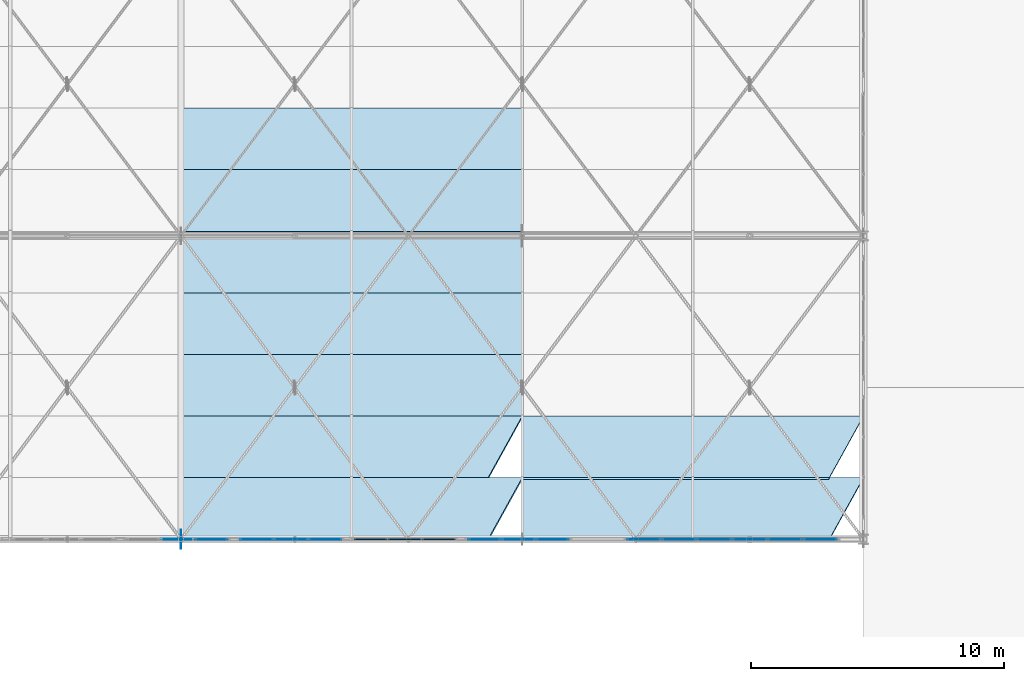
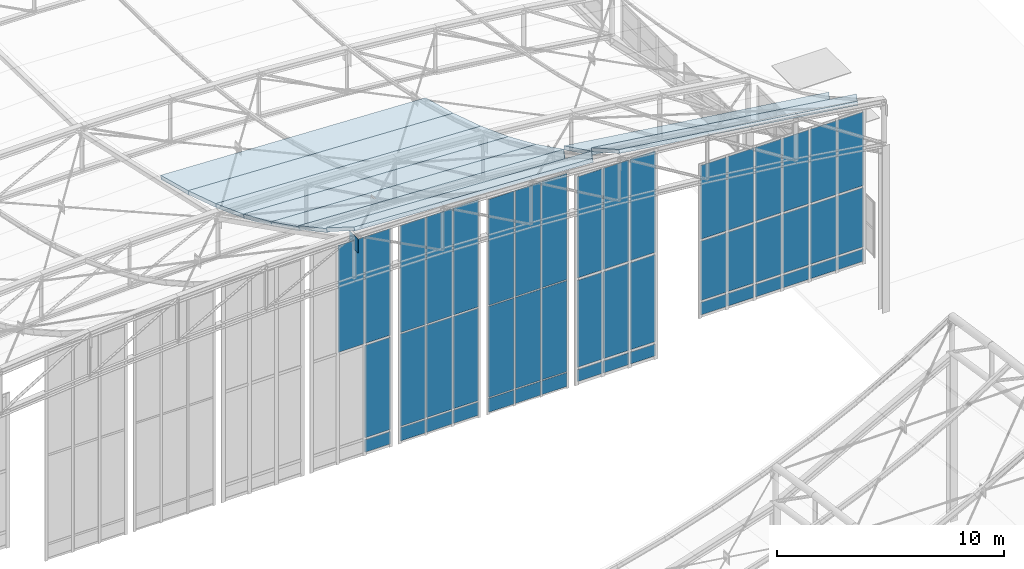
# One storey, part 221 of 262: 50 plates, 9 slabs, 5 elements without a shape of their own.
"""IFC4 building model written with IfcOpenShell, lengths in metres."""

from ifc_helpers import new_model, si_unit, derived_unit, direction, frame, origin, origin_2d, place, context, subcontext, project, spatial, polyline, rectangle, outline, extrude, material, layer, layer_set, type_object, element, aggregate, save


model = new_model("IFC4")

# Units and contexts
model_context = context("Model", 3, precision=1e-05, world=origin(), true_north=direction((0.0, 1.0)))
body_context = subcontext(model_context, "Body", "Model", "MODEL_VIEW")
ifc_project = project(units=[si_unit("LENGTHUNIT", "METRE"), si_unit("AREAUNIT", "SQUARE_METRE"), si_unit("VOLUMEUNIT", "CUBIC_METRE"), si_unit("PLANEANGLEUNIT", "RADIAN"), si_unit("MASSUNIT", "GRAM", prefix="KILO"), derived_unit("THERMALTRANSMITTANCEUNIT", [(si_unit("POWERUNIT", "WATT"), 1), (si_unit("LENGTHUNIT", "METRE"), -2), (si_unit("THERMODYNAMICTEMPERATUREUNIT", "KELVIN"), -1)])], contexts=[model_context])

# Site, building, storey
site_placement = place(None, origin())
site = spatial("IfcSite", under=ifc_project, at=site_placement, CompositionType="ELEMENT")
building_placement = place(site_placement, origin())
building = spatial("IfcBuilding", under=site, at=building_placement, Name="Almenara Railside Exhibition Hall", CompositionType="ELEMENT")
storey_placement = place(building_placement, frame((0.0, 0.0, 21.699951171875)))
storey = spatial("IfcBuildingStorey", under=building, at=storey_placement, Name="RF", CompositionType="ELEMENT", Elevation=21.699951171875)

# Curtain wall, plates
ifc_material_1 = material(Name="Bronze-anodised aluminium and low-E double glazing", Category="aluminium")
ifc_layer_1 = layer(ifc_material_1, 0.179931640625, Name="Bronze-anodised aluminium and low-E double glazing")
ifc_layer_set_1 = layer_set([ifc_layer_1], Name="Bronze-anodised aluminium and low-E double glazing")
curtain_wall_type = type_object("IfcCurtainWallType", Name="Scroll Gable Tall Curtain Wall 3800x5400", PredefinedType="NOTDEFINED", material=ifc_layer_set_1)
curtain_wall_1_placement = place(storey_placement, origin())
curtain_wall_1 = element("IfcCurtainWall", 1, at=curtain_wall_1_placement, inside=storey, type_object=curtain_wall_type, Name="Curtain wall CW-G1-197", PredefinedType="NOTDEFINED")
ifc_material_2 = material(Name="Clear low-E laminated double glazing", Category="glass")
ifc_layer_2 = layer(ifc_material_2, 0.02392578125, Name="Clear low-E laminated double glazing")
ifc_layer_set_2 = layer_set([ifc_layer_2], Name="Clear low-E laminated double glazing")
plate_type_1 = type_object("IfcPlateType", Name="Courtyard Clear Double Glazing Panel 24mm", PredefinedType="CURTAIN_PANEL", material=ifc_layer_set_2)
plate_1_placement = place(storey_placement, frame((57.316162109375, 48.0, 0.6240234375), z_axis=(0.0, 0.0, 1.0), x_axis=(1.0, 0.0, 0.0)))
plate_1 = element("IfcPlate", 2, at=plate_1_placement, type_object=plate_type_1, Name="CW-G1-197 panel 1.1", PredefinedType="CURTAIN_PANEL", context=body_context, shape_type="SweptSolid", body=[
    extrude(rectangle(XDim=1.318603515625, YDim=0.02392578125, at=origin_2d()), origin(), (0.0, 0.0, 1.0), 0.672119140625),
])
plate_2_placement = place(storey_placement, frame((57.316162109375, 48.0, 1.404052734375), z_axis=(0.0, 0.0, 1.0), x_axis=(1.0, 0.0, 0.0)))
plate_2 = element("IfcPlate", 3, at=plate_2_placement, type_object=plate_type_1, Name="CW-G1-197 panel 1.2", PredefinedType="CURTAIN_PANEL", context=body_context, shape_type="SweptSolid", body=[
    extrude(rectangle(XDim=1.318603515625, YDim=0.02392578125, at=origin_2d()), origin(), (0.0, 0.0, 1.0), 3.19189453125),
])
plate_3_placement = place(storey_placement, frame((57.316162109375, 48.0, 4.7041015625), z_axis=(0.0, 0.0, 1.0), x_axis=(1.0, 0.0, 0.0)))
plate_3 = element("IfcPlate", 4, at=plate_3_placement, type_object=plate_type_1, Name="CW-G1-197 panel 1.3", PredefinedType="CURTAIN_PANEL", context=body_context, shape_type="SweptSolid", body=[
    extrude(rectangle(XDim=1.318603515625, YDim=0.02392578125, at=origin_2d()), origin(), (0.0, 0.0, 1.0), 3.971923828125),
])
plate_4_placement = place(storey_placement, frame((58.699951171875, 48.0, 0.6240234375), z_axis=(0.0, 0.0, 1.0), x_axis=(1.0, 0.0, 0.0)))
plate_4 = element("IfcPlate", 5, at=plate_4_placement, type_object=plate_type_1, Name="CW-G1-197 panel 2.1", PredefinedType="CURTAIN_PANEL", context=body_context, shape_type="SweptSolid", body=[
    extrude(rectangle(XDim=1.35107421875, YDim=0.02392578125, at=origin_2d()), origin(), (0.0, 0.0, 1.0), 0.672119140625),
])
plate_5_placement = place(storey_placement, frame((58.699951171875, 48.0, 1.404052734375), z_axis=(0.0, 0.0, 1.0), x_axis=(1.0, 0.0, 0.0)))
plate_5 = element("IfcPlate", 6, at=plate_5_placement, type_object=plate_type_1, Name="CW-G1-197 panel 2.2", PredefinedType="CURTAIN_PANEL", context=body_context, shape_type="SweptSolid", body=[
    extrude(rectangle(XDim=1.35107421875, YDim=0.02392578125, at=origin_2d()), origin(), (0.0, 0.0, 1.0), 3.19189453125),
])
plate_6_placement = place(storey_placement, frame((58.699951171875, 48.0, 4.7041015625), z_axis=(0.0, 0.0, 1.0), x_axis=(1.0, 0.0, 0.0)))
plate_6 = element("IfcPlate", 7, at=plate_6_placement, type_object=plate_type_1, Name="CW-G1-197 panel 2.3", PredefinedType="CURTAIN_PANEL", context=body_context, shape_type="SweptSolid", body=[
    extrude(rectangle(XDim=1.35107421875, YDim=0.02392578125, at=origin_2d()), origin(), (0.0, 0.0, 1.0), 3.971923828125),
])
plate_7_placement = place(storey_placement, frame((60.10009765625, 48.0, 0.6240234375), z_axis=(0.0, 0.0, 1.0), x_axis=(1.0, 0.0, 0.0)))
plate_7 = element("IfcPlate", 8, at=plate_7_placement, type_object=plate_type_1, Name="CW-G1-197 panel 3.1", PredefinedType="CURTAIN_PANEL", context=body_context, shape_type="SweptSolid", body=[
    extrude(rectangle(XDim=1.35107421875, YDim=0.02392578125, at=origin_2d()), origin(), (0.0, 0.0, 1.0), 0.672119140625),
])
plate_8_placement = place(storey_placement, frame((60.10009765625, 48.0, 1.404052734375), z_axis=(0.0, 0.0, 1.0), x_axis=(1.0, 0.0, 0.0)))
plate_8 = element("IfcPlate", 9, at=plate_8_placement, type_object=plate_type_1, Name="CW-G1-197 panel 3.2", PredefinedType="CURTAIN_PANEL", context=body_context, shape_type="SweptSolid", body=[
    extrude(rectangle(XDim=1.35107421875, YDim=0.02392578125, at=origin_2d()), origin(), (0.0, 0.0, 1.0), 3.19189453125),
])
plate_9_placement = place(storey_placement, frame((60.10009765625, 48.0, 4.7041015625), z_axis=(0.0, 0.0, 1.0), x_axis=(1.0, 0.0, 0.0)))
plate_9 = element("IfcPlate", 10, at=plate_9_placement, type_object=plate_type_1, Name="CW-G1-197 panel 3.3", PredefinedType="CURTAIN_PANEL", context=body_context, shape_type="SweptSolid", body=[
    extrude(rectangle(XDim=1.35107421875, YDim=0.02392578125, at=origin_2d()), origin(), (0.0, 0.0, 1.0), 3.971923828125),
])
plate_10_placement = place(storey_placement, frame((61.5, 48.0, 0.6240234375), z_axis=(0.0, 0.0, 1.0), x_axis=(1.0, 0.0, 0.0)))
plate_10 = element("IfcPlate", 11, at=plate_10_placement, type_object=plate_type_1, Name="CW-G1-197 panel 4.1", PredefinedType="CURTAIN_PANEL", context=body_context, shape_type="SweptSolid", body=[
    extrude(rectangle(XDim=1.35107421875, YDim=0.02392578125, at=origin_2d()), origin(), (0.0, 0.0, 1.0), 0.672119140625),
])
plate_11_placement = place(storey_placement, frame((61.5, 48.0, 1.404052734375), z_axis=(0.0, 0.0, 1.0), x_axis=(1.0, 0.0, 0.0)))
plate_11 = element("IfcPlate", 12, at=plate_11_placement, type_object=plate_type_1, Name="CW-G1-197 panel 4.2", PredefinedType="CURTAIN_PANEL", context=body_context, shape_type="SweptSolid", body=[
    extrude(rectangle(XDim=1.35107421875, YDim=0.02392578125, at=origin_2d()), origin(), (0.0, 0.0, 1.0), 3.19189453125),
])
plate_12_placement = place(storey_placement, frame((61.5, 48.0, 4.7041015625), z_axis=(0.0, 0.0, 1.0), x_axis=(1.0, 0.0, 0.0)))
plate_12 = element("IfcPlate", 13, at=plate_12_placement, type_object=plate_type_1, Name="CW-G1-197 panel 4.3", PredefinedType="CURTAIN_PANEL", context=body_context, shape_type="SweptSolid", body=[
    extrude(rectangle(XDim=1.35107421875, YDim=0.02392578125, at=origin_2d()), origin(), (0.0, 0.0, 1.0), 3.971923828125),
])
plate_13_placement = place(storey_placement, frame((62.89990234375, 48.0, 0.6240234375), z_axis=(0.0, 0.0, 1.0), x_axis=(1.0, 0.0, 0.0)))
plate_13 = element("IfcPlate", 14, at=plate_13_placement, type_object=plate_type_1, Name="CW-G1-197 panel 5.1", PredefinedType="CURTAIN_PANEL", context=body_context, shape_type="SweptSolid", body=[
    extrude(rectangle(XDim=1.35107421875, YDim=0.02392578125, at=origin_2d()), origin(), (0.0, 0.0, 1.0), 0.672119140625),
])
plate_14_placement = place(storey_placement, frame((62.89990234375, 48.0, 1.404052734375), z_axis=(0.0, 0.0, 1.0), x_axis=(1.0, 0.0, 0.0)))
plate_14 = element("IfcPlate", 15, at=plate_14_placement, type_object=plate_type_1, Name="CW-G1-197 panel 5.2", PredefinedType="CURTAIN_PANEL", context=body_context, shape_type="SweptSolid", body=[
    extrude(rectangle(XDim=1.35107421875, YDim=0.02392578125, at=origin_2d()), origin(), (0.0, 0.0, 1.0), 3.19189453125),
])
plate_15_placement = place(storey_placement, frame((62.89990234375, 48.0, 4.7041015625), z_axis=(0.0, 0.0, 1.0), x_axis=(1.0, 0.0, 0.0)))
plate_15 = element("IfcPlate", 16, at=plate_15_placement, type_object=plate_type_1, Name="CW-G1-197 panel 5.3", PredefinedType="CURTAIN_PANEL", context=body_context, shape_type="SweptSolid", body=[
    extrude(rectangle(XDim=1.35107421875, YDim=0.02392578125, at=origin_2d()), origin(), (0.0, 0.0, 1.0), 3.971923828125),
])
plate_16_placement = place(storey_placement, frame((64.28369140625, 48.0, 0.6240234375), z_axis=(0.0, 0.0, 1.0), x_axis=(1.0, 0.0, 0.0)))
plate_16 = element("IfcPlate", 17, at=plate_16_placement, type_object=plate_type_1, Name="CW-G1-197 panel 6.1", PredefinedType="CURTAIN_PANEL", context=body_context, shape_type="SweptSolid", body=[
    extrude(rectangle(XDim=1.318603515625, YDim=0.02392578125, at=origin_2d()), origin(), (0.0, 0.0, 1.0), 0.672119140625),
])
plate_17_placement = place(storey_placement, frame((64.28369140625, 48.0, 1.404052734375), z_axis=(0.0, 0.0, 1.0), x_axis=(1.0, 0.0, 0.0)))
plate_17 = element("IfcPlate", 18, at=plate_17_placement, type_object=plate_type_1, Name="CW-G1-197 panel 6.2", PredefinedType="CURTAIN_PANEL", context=body_context, shape_type="SweptSolid", body=[
    extrude(rectangle(XDim=1.318603515625, YDim=0.02392578125, at=origin_2d()), origin(), (0.0, 0.0, 1.0), 3.19189453125),
])
plate_18_placement = place(storey_placement, frame((64.28369140625, 48.0, 4.7041015625), z_axis=(0.0, 0.0, 1.0), x_axis=(1.0, 0.0, 0.0)))
plate_18 = element("IfcPlate", 19, at=plate_18_placement, type_object=plate_type_1, Name="CW-G1-197 panel 6.3", PredefinedType="CURTAIN_PANEL", context=body_context, shape_type="SweptSolid", body=[
    extrude(rectangle(XDim=1.318603515625, YDim=0.02392578125, at=origin_2d()), origin(), (0.0, 0.0, 1.0), 3.971923828125),
])
aggregate(curtain_wall_1, [plate_1, plate_2, plate_3, plate_4, plate_5, plate_6, plate_7, plate_8, plate_9, plate_10, plate_11, plate_12, plate_13, plate_14, plate_15, plate_16, plate_17, plate_18])

curtain_wall_2_placement = place(storey_placement, origin())
curtain_wall_2 = element("IfcCurtainWall", 20, at=curtain_wall_2_placement, inside=storey, type_object=curtain_wall_type, Name="Curtain wall CW-G1-202", PredefinedType="NOTDEFINED")
plate_19_placement = place(storey_placement, frame((41.998291015625, 48.0, -0.80615234375), z_axis=(0.0, 0.0, 1.0), x_axis=(1.0, 0.0, 0.0)))
plate_19 = element("IfcPlate", 21, at=plate_19_placement, type_object=plate_type_1, Name="CW-G1-202 panel 1.1", PredefinedType="CURTAIN_PANEL", context=body_context, shape_type="SweptSolid", body=[
    extrude(rectangle(XDim=1.292724609375, YDim=0.02392578125, at=origin_2d()), origin(), (0.0, 0.0, 1.0), 0.717041015625),
])
plate_20_placement = place(storey_placement, frame((41.998291015625, 48.0, -0.0107421875), z_axis=(0.0, 0.0, 1.0), x_axis=(1.0, 0.0, 0.0)))
plate_20 = element("IfcPlate", 22, at=plate_20_placement, type_object=plate_type_1, Name="CW-G1-202 panel 1.2", PredefinedType="CURTAIN_PANEL", context=body_context, shape_type="SweptSolid", body=[
    extrude(rectangle(XDim=1.292724609375, YDim=0.02392578125, at=origin_2d()), origin(), (0.0, 0.0, 1.0), 4.967041015625),
])
plate_21_placement = place(storey_placement, frame((41.998291015625, 48.0, 5.0341796875), z_axis=(0.0, 0.0, 1.0), x_axis=(1.0, 0.0, 0.0)))
plate_21 = element("IfcPlate", 23, at=plate_21_placement, type_object=plate_type_1, Name="CW-G1-202 panel 1.3", PredefinedType="CURTAIN_PANEL", context=body_context, shape_type="SweptSolid", body=[
    extrude(rectangle(XDim=1.292724609375, YDim=0.02392578125, at=origin_2d()), origin(), (0.0, 0.0, 1.0), 5.761962890625),
])
plate_22_placement = place(storey_placement, frame((43.35009765625, 48.0, -0.80615234375), z_axis=(0.0, 0.0, 1.0), x_axis=(1.0, 0.0, 0.0)))
plate_22 = element("IfcPlate", 24, at=plate_22_placement, type_object=plate_type_1, Name="CW-G1-202 panel 2.1", PredefinedType="CURTAIN_PANEL", context=body_context, shape_type="SweptSolid", body=[
    extrude(rectangle(XDim=1.32275390625, YDim=0.02392578125, at=origin_2d()), origin(), (0.0, 0.0, 1.0), 0.717041015625),
])
plate_23_placement = place(storey_placement, frame((43.35009765625, 48.0, -0.0107421875), z_axis=(0.0, 0.0, 1.0), x_axis=(1.0, 0.0, 0.0)))
plate_23 = element("IfcPlate", 25, at=plate_23_placement, type_object=plate_type_1, Name="CW-G1-202 panel 2.2", PredefinedType="CURTAIN_PANEL", context=body_context, shape_type="SweptSolid", body=[
    extrude(rectangle(XDim=1.32275390625, YDim=0.02392578125, at=origin_2d()), origin(), (0.0, 0.0, 1.0), 4.967041015625),
])
plate_24_placement = place(storey_placement, frame((43.35009765625, 48.0, 5.0341796875), z_axis=(0.0, 0.0, 1.0), x_axis=(1.0, 0.0, 0.0)))
plate_24 = element("IfcPlate", 26, at=plate_24_placement, type_object=plate_type_1, Name="CW-G1-202 panel 2.3", PredefinedType="CURTAIN_PANEL", context=body_context, shape_type="SweptSolid", body=[
    extrude(rectangle(XDim=1.32275390625, YDim=0.02392578125, at=origin_2d()), origin(), (0.0, 0.0, 1.0), 5.761962890625),
])
plate_25_placement = place(storey_placement, frame((44.70166015625, 48.0, -0.80615234375), z_axis=(0.0, 0.0, 1.0), x_axis=(1.0, 0.0, 0.0)))
plate_25 = element("IfcPlate", 27, at=plate_25_placement, type_object=plate_type_1, Name="CW-G1-202 panel 3.1", PredefinedType="CURTAIN_PANEL", context=body_context, shape_type="SweptSolid", body=[
    extrude(rectangle(XDim=1.292724609375, YDim=0.02392578125, at=origin_2d()), origin(), (0.0, 0.0, 1.0), 0.717041015625),
])
plate_26_placement = place(storey_placement, frame((44.70166015625, 48.0, -0.0107421875), z_axis=(0.0, 0.0, 1.0), x_axis=(1.0, 0.0, 0.0)))
plate_26 = element("IfcPlate", 28, at=plate_26_placement, type_object=plate_type_1, Name="CW-G1-202 panel 3.2", PredefinedType="CURTAIN_PANEL", context=body_context, shape_type="SweptSolid", body=[
    extrude(rectangle(XDim=1.292724609375, YDim=0.02392578125, at=origin_2d()), origin(), (0.0, 0.0, 1.0), 4.967041015625),
])
plate_27_placement = place(storey_placement, frame((44.70166015625, 48.0, 5.0341796875), z_axis=(0.0, 0.0, 1.0), x_axis=(1.0, 0.0, 0.0)))
plate_27 = element("IfcPlate", 29, at=plate_27_placement, type_object=plate_type_1, Name="CW-G1-202 panel 3.3", PredefinedType="CURTAIN_PANEL", context=body_context, shape_type="SweptSolid", body=[
    extrude(rectangle(XDim=1.292724609375, YDim=0.02392578125, at=origin_2d()), origin(), (0.0, 0.0, 1.0), 5.761962890625),
])
aggregate(curtain_wall_2, [plate_19, plate_20, plate_21, plate_22, plate_23, plate_24, plate_25, plate_26, plate_27])

curtain_wall_3_placement = place(storey_placement, origin())
curtain_wall_3 = element("IfcCurtainWall", 30, at=curtain_wall_3_placement, inside=storey, type_object=curtain_wall_type, Name="Curtain wall CW-G1-203", PredefinedType="NOTDEFINED")
ifc_material_3 = material(Name="Bronze-anodised insulated aluminium spandrel", Category="aluminium")
ifc_layer_3 = layer(ifc_material_3, 0.0400390625, Name="Bronze-anodised insulated aluminium spandrel")
ifc_layer_set_3 = layer_set([ifc_layer_3], Name="Bronze-anodised insulated aluminium spandrel")
plate_type_2 = type_object("IfcPlateType", Name="Insulated Bronze Spandrel Panel 40mm", PredefinedType="CURTAIN_PANEL", material=ifc_layer_set_3)
plate_28_placement = place(storey_placement, frame((46.4970703125, 48.0, -0.825927734375), z_axis=(0.0, 0.0, 1.0), x_axis=(1.0, 0.0, 0.0)))
plate_28 = element("IfcPlate", 31, at=plate_28_placement, type_object=plate_type_2, Name="CW-G1-203 panel 1.1", PredefinedType="CURTAIN_PANEL", context=body_context, shape_type="SweptSolid", body=[
    extrude(rectangle(XDim=1.300048828125, YDim=0.0400390625, at=origin_2d()), origin(), (0.0, 0.0, 1.0), 0.7470703125),
])
plate_29_placement = place(storey_placement, frame((46.4970703125, 48.0, -0.02099609375), z_axis=(0.0, 0.0, 1.0), x_axis=(1.0, 0.0, 0.0)))
plate_29 = element("IfcPlate", 32, at=plate_29_placement, type_object=plate_type_2, Name="CW-G1-203 panel 1.2", PredefinedType="CURTAIN_PANEL", context=body_context, shape_type="SweptSolid", body=[
    extrude(rectangle(XDim=1.300048828125, YDim=0.0400390625, at=origin_2d()), origin(), (0.0, 0.0, 1.0), 4.89697265625),
])
plate_30_placement = place(storey_placement, frame((46.4970703125, 48.0, 4.93408203125), z_axis=(0.0, 0.0, 1.0), x_axis=(1.0, 0.0, 0.0)))
plate_30 = element("IfcPlate", 33, at=plate_30_placement, type_object=plate_type_2, Name="CW-G1-203 panel 1.3", PredefinedType="CURTAIN_PANEL", context=body_context, shape_type="SweptSolid", body=[
    extrude(rectangle(XDim=1.300048828125, YDim=0.0400390625, at=origin_2d()), origin(), (0.0, 0.0, 1.0), 5.701904296875),
])
plate_31_placement = place(storey_placement, frame((47.85009765625, 48.0, -0.825927734375), z_axis=(0.0, 0.0, 1.0), x_axis=(1.0, 0.0, 0.0)))
plate_31 = element("IfcPlate", 34, at=plate_31_placement, type_object=plate_type_2, Name="CW-G1-203 panel 2.1", PredefinedType="CURTAIN_PANEL", context=body_context, shape_type="SweptSolid", body=[
    extrude(rectangle(XDim=1.32763671875, YDim=0.0400390625, at=origin_2d()), origin(), (0.0, 0.0, 1.0), 0.7470703125),
])
plate_32_placement = place(storey_placement, frame((47.85009765625, 48.0, -0.02099609375), z_axis=(0.0, 0.0, 1.0), x_axis=(1.0, 0.0, 0.0)))
plate_32 = element("IfcPlate", 35, at=plate_32_placement, type_object=plate_type_2, Name="CW-G1-203 panel 2.2", PredefinedType="CURTAIN_PANEL", context=body_context, shape_type="SweptSolid", body=[
    extrude(rectangle(XDim=1.32763671875, YDim=0.0400390625, at=origin_2d()), origin(), (0.0, 0.0, 1.0), 4.89697265625),
])
plate_33_placement = place(storey_placement, frame((47.85009765625, 48.0, 4.93408203125), z_axis=(0.0, 0.0, 1.0), x_axis=(1.0, 0.0, 0.0)))
plate_33 = element("IfcPlate", 36, at=plate_33_placement, type_object=plate_type_2, Name="CW-G1-203 panel 2.3", PredefinedType="CURTAIN_PANEL", context=body_context, shape_type="SweptSolid", body=[
    extrude(rectangle(XDim=1.32763671875, YDim=0.0400390625, at=origin_2d()), origin(), (0.0, 0.0, 1.0), 5.701904296875),
])
plate_34_placement = place(storey_placement, frame((49.202880859375, 48.0, -0.825927734375), z_axis=(0.0, 0.0, 1.0), x_axis=(1.0, 0.0, 0.0)))
plate_34 = element("IfcPlate", 37, at=plate_34_placement, type_object=plate_type_2, Name="CW-G1-203 panel 3.1", PredefinedType="CURTAIN_PANEL", context=body_context, shape_type="SweptSolid", body=[
    extrude(rectangle(XDim=1.300048828125, YDim=0.0400390625, at=origin_2d()), origin(), (0.0, 0.0, 1.0), 0.7470703125),
])
plate_35_placement = place(storey_placement, frame((49.202880859375, 48.0, -0.02099609375), z_axis=(0.0, 0.0, 1.0), x_axis=(1.0, 0.0, 0.0)))
plate_35 = element("IfcPlate", 38, at=plate_35_placement, type_object=plate_type_2, Name="CW-G1-203 panel 3.2", PredefinedType="CURTAIN_PANEL", context=body_context, shape_type="SweptSolid", body=[
    extrude(rectangle(XDim=1.300048828125, YDim=0.0400390625, at=origin_2d()), origin(), (0.0, 0.0, 1.0), 4.89697265625),
])
plate_36_placement = place(storey_placement, frame((49.202880859375, 48.0, 4.93408203125), z_axis=(0.0, 0.0, 1.0), x_axis=(1.0, 0.0, 0.0)))
plate_36 = element("IfcPlate", 39, at=plate_36_placement, type_object=plate_type_2, Name="CW-G1-203 panel 3.3", PredefinedType="CURTAIN_PANEL", context=body_context, shape_type="SweptSolid", body=[
    extrude(rectangle(XDim=1.300048828125, YDim=0.0400390625, at=origin_2d()), origin(), (0.0, 0.0, 1.0), 5.701904296875),
])
aggregate(curtain_wall_3, [plate_28, plate_29, plate_30, plate_31, plate_32, plate_33, plate_34, plate_35, plate_36])

curtain_wall_4_placement = place(storey_placement, origin())
curtain_wall_4 = element("IfcCurtainWall", 40, at=curtain_wall_4_placement, inside=storey, type_object=curtain_wall_type, Name="Curtain wall CW-G1-204", PredefinedType="NOTDEFINED")
ifc_layer_4 = layer(ifc_material_3, 0.034912109375, Name="Bronze-anodised insulated aluminium spandrel")
ifc_layer_set_4 = layer_set([ifc_layer_4], Name="Bronze-anodised insulated aluminium spandrel")
plate_type_3 = type_object("IfcPlateType", Name="Insulated Stucco-Tone Spandrel Panel 35mm", PredefinedType="CURTAIN_PANEL", material=ifc_layer_set_4)
plate_37_placement = place(storey_placement, frame((51.000732421875, 48.0, -0.756103515625), z_axis=(0.0, 0.0, 1.0), x_axis=(1.0, 0.0, 0.0)))
plate_37 = element("IfcPlate", 41, at=plate_37_placement, type_object=plate_type_3, Name="CW-G1-204 panel 1.1", PredefinedType="CURTAIN_PANEL", context=body_context, shape_type="SweptSolid", body=[
    extrude(rectangle(XDim=1.277587890625, YDim=0.034912109375, at=origin_2d()), origin(), (0.0, 0.0, 1.0), 0.64208984375),
])
plate_38_placement = place(storey_placement, frame((51.000732421875, 48.0, 0.01416015625), z_axis=(0.0, 0.0, 1.0), x_axis=(1.0, 0.0, 0.0)))
plate_38 = element("IfcPlate", 42, at=plate_38_placement, type_object=plate_type_3, Name="CW-G1-204 panel 1.2", PredefinedType="CURTAIN_PANEL", context=body_context, shape_type="SweptSolid", body=[
    extrude(rectangle(XDim=1.277587890625, YDim=0.034912109375, at=origin_2d()), origin(), (0.0, 0.0, 1.0), 4.677001953125),
])
plate_39_placement = place(storey_placement, frame((51.000732421875, 48.0, 4.81884765625), z_axis=(0.0, 0.0, 1.0), x_axis=(1.0, 0.0, 0.0)))
plate_39 = element("IfcPlate", 43, at=plate_39_placement, type_object=plate_type_3, Name="CW-G1-204 panel 1.3", PredefinedType="CURTAIN_PANEL", context=body_context, shape_type="SweptSolid", body=[
    extrude(rectangle(XDim=1.277587890625, YDim=0.034912109375, at=origin_2d()), origin(), (0.0, 0.0, 1.0), 5.447021484375),
])
plate_40_placement = place(storey_placement, frame((52.35009765625, 48.0, -0.756103515625), z_axis=(0.0, 0.0, 1.0), x_axis=(1.0, 0.0, 0.0)))
plate_40 = element("IfcPlate", 44, at=plate_40_placement, type_object=plate_type_3, Name="CW-G1-204 panel 2.1", PredefinedType="CURTAIN_PANEL", context=body_context, shape_type="SweptSolid", body=[
    extrude(rectangle(XDim=1.312744140625, YDim=0.034912109375, at=origin_2d()), origin(), (0.0, 0.0, 1.0), 0.64208984375),
])
plate_41_placement = place(storey_placement, frame((52.35009765625, 48.0, 0.01416015625), z_axis=(0.0, 0.0, 1.0), x_axis=(1.0, 0.0, 0.0)))
plate_41 = element("IfcPlate", 45, at=plate_41_placement, type_object=plate_type_3, Name="CW-G1-204 panel 2.2", PredefinedType="CURTAIN_PANEL", context=body_context, shape_type="SweptSolid", body=[
    extrude(rectangle(XDim=1.312744140625, YDim=0.034912109375, at=origin_2d()), origin(), (0.0, 0.0, 1.0), 4.677001953125),
])
plate_42_placement = place(storey_placement, frame((52.35009765625, 48.0, 4.81884765625), z_axis=(0.0, 0.0, 1.0), x_axis=(1.0, 0.0, 0.0)))
plate_42 = element("IfcPlate", 46, at=plate_42_placement, type_object=plate_type_3, Name="CW-G1-204 panel 2.3", PredefinedType="CURTAIN_PANEL", context=body_context, shape_type="SweptSolid", body=[
    extrude(rectangle(XDim=1.312744140625, YDim=0.034912109375, at=origin_2d()), origin(), (0.0, 0.0, 1.0), 5.447021484375),
])
plate_43_placement = place(storey_placement, frame((53.69921875, 48.0, -0.756103515625), z_axis=(0.0, 0.0, 1.0), x_axis=(1.0, 0.0, 0.0)))
plate_43 = element("IfcPlate", 47, at=plate_43_placement, type_object=plate_type_3, Name="CW-G1-204 panel 3.1", PredefinedType="CURTAIN_PANEL", context=body_context, shape_type="SweptSolid", body=[
    extrude(rectangle(XDim=1.277587890625, YDim=0.034912109375, at=origin_2d()), origin(), (0.0, 0.0, 1.0), 0.64208984375),
])
plate_44_placement = place(storey_placement, frame((53.69921875, 48.0, 0.01416015625), z_axis=(0.0, 0.0, 1.0), x_axis=(1.0, 0.0, 0.0)))
plate_44 = element("IfcPlate", 48, at=plate_44_placement, type_object=plate_type_3, Name="CW-G1-204 panel 3.2", PredefinedType="CURTAIN_PANEL", context=body_context, shape_type="SweptSolid", body=[
    extrude(rectangle(XDim=1.277587890625, YDim=0.034912109375, at=origin_2d()), origin(), (0.0, 0.0, 1.0), 4.677001953125),
])
plate_45_placement = place(storey_placement, frame((53.69921875, 48.0, 4.81884765625), z_axis=(0.0, 0.0, 1.0), x_axis=(1.0, 0.0, 0.0)))
plate_45 = element("IfcPlate", 49, at=plate_45_placement, type_object=plate_type_3, Name="CW-G1-204 panel 3.3", PredefinedType="CURTAIN_PANEL", context=body_context, shape_type="SweptSolid", body=[
    extrude(rectangle(XDim=1.277587890625, YDim=0.034912109375, at=origin_2d()), origin(), (0.0, 0.0, 1.0), 5.447021484375),
])
aggregate(curtain_wall_4, [plate_37, plate_38, plate_39, plate_40, plate_41, plate_42, plate_43, plate_44, plate_45])

curtain_wall_5_placement = place(storey_placement, origin())
curtain_wall_5 = element("IfcCurtainWall", 50, at=curtain_wall_5_placement, inside=storey, type_object=curtain_wall_type, Name="Curtain wall CW-G1-201", PredefinedType="NOTDEFINED")
ifc_material_4 = material(Name="Solar-control low-E laminated double glazing", Category="glass")
ifc_layer_5 = layer(ifc_material_4, 0.028076171875, Name="Solar-control low-E laminated double glazing")
ifc_layer_set_5 = layer_set([ifc_layer_5], Name="Solar-control low-E laminated double glazing")
plate_type_4 = type_object("IfcPlateType", Name="Low-E Solar Control Double Glazing Panel 28mm", PredefinedType="CURTAIN_PANEL", material=ifc_layer_set_5)
plate_46_placement = place(storey_placement, frame((38.85009765625, 48.0, 5.0791015625), z_axis=(0.0, 0.0, 1.0), x_axis=(1.0, 0.0, 0.0)))
plate_46 = element("IfcPlate", 51, at=plate_46_placement, type_object=plate_type_4, Name="CW-G1-201 panel 2.3", PredefinedType="CURTAIN_PANEL", context=body_context, shape_type="SweptSolid", body=[
    extrude(rectangle(XDim=1.317626953125, YDim=0.028076171875, at=origin_2d()), origin(), (0.0, 0.0, 1.0), 5.7470703125),
])
plate_47_placement = place(storey_placement, frame((40.200439453125, 48.0, -0.77587890625), z_axis=(0.0, 0.0, 1.0), x_axis=(1.0, 0.0, 0.0)))
plate_47 = element("IfcPlate", 52, at=plate_47_placement, type_object=plate_type_4, Name="CW-G1-201 panel 3.1", PredefinedType="CURTAIN_PANEL", context=body_context, shape_type="SweptSolid", body=[
    extrude(rectangle(XDim=1.28515625, YDim=0.028076171875, at=origin_2d()), origin(), (0.0, 0.0, 1.0), 0.672119140625),
])
plate_48_placement = place(storey_placement, frame((40.200439453125, 48.0, 0.00390625), z_axis=(0.0, 0.0, 1.0), x_axis=(1.0, 0.0, 0.0)))
plate_48 = element("IfcPlate", 53, at=plate_48_placement, type_object=plate_type_4, Name="CW-G1-201 panel 3.2", PredefinedType="CURTAIN_PANEL", context=body_context, shape_type="SweptSolid", body=[
    extrude(rectangle(XDim=1.28515625, YDim=0.028076171875, at=origin_2d()), origin(), (0.0, 0.0, 1.0), 4.967041015625),
])
plate_49_placement = place(storey_placement, frame((40.200439453125, 48.0, 5.0791015625), z_axis=(0.0, 0.0, 1.0), x_axis=(1.0, 0.0, 0.0)))
plate_49 = element("IfcPlate", 54, at=plate_49_placement, type_object=plate_type_4, Name="CW-G1-201 panel 3.3", PredefinedType="CURTAIN_PANEL", context=body_context, shape_type="SweptSolid", body=[
    extrude(rectangle(XDim=1.28515625, YDim=0.028076171875, at=origin_2d()), origin(), (0.0, 0.0, 1.0), 5.7470703125),
])
aggregate(curtain_wall_5, [plate_46, plate_47, plate_48, plate_49])

# Slabs
ifc_material_5 = material(Name="White standing-seam insulated steel S355JR roof deck", Category="steel")
ifc_layer_6 = layer(ifc_material_5, 0.195068359375, Name="White standing-seam insulated steel S355JR roof deck")
ifc_layer_set_6 = layer_set([ifc_layer_6], Name="White standing-seam insulated steel S355JR roof deck")
slab_type_1 = type_object("IfcSlabType", Name="Scroll Standing-Seam Insulated Roof Cassette 195mm S355JR", PredefinedType="ROOF", material=ifc_layer_set_6)
slab_1_placement = place(storey_placement, frame((39.0, 52.873291015625, 8.6025390625), z_axis=(0.036457270547, 0.445014736902, 0.894780839851), x_axis=(0.99917098071, 0.0, -0.04071057978)))
element("IfcSlab", 55, at=slab_1_placement, inside=storey, type_object=slab_type_1, Name="V1 roof cassette RC-V1-03C", PredefinedType="ROOF", context=body_context, shape_type="SweptSolid", body=[
    extrude(outline(polyline([(0.0, 0.0), (13.511201046291989, 2.7755575615628914e-17), (13.560538770420465, 2.721054522361552), (0.049337724128476194, 2.721054522361552), (0.0, 0.0)])), origin(), (0.0, 0.0, -1.0), 0.195068359375),
])
slab_2_placement = place(storey_placement, frame((39.0, 55.31005859375, 7.390625), z_axis=(0.037345607849, 0.398095348831, 0.9165835471), x_axis=(0.99917098071, 0.0, -0.04071057978)))
element("IfcSlab", 56, at=slab_2_placement, inside=storey, type_object=slab_type_1, Name="V1 roof cassette RC-V1-04C", PredefinedType="ROOF", context=body_context, shape_type="SweptSolid", body=[
    extrude(outline(polyline([(0.0, 0.0), (13.511201046291989, 5.551115123125783e-17), (13.554287072500076, 2.65632899314279), (0.04308602620808709, 2.6563289931427896), (0.0, 0.0)])), origin(), (0.0, 0.0, -1.0), 0.195068359375),
])
slab_3_placement = place(storey_placement, frame((39.0, 57.746826171875, 6.332275390625), z_axis=(0.038115969666, 0.351289382745, 0.935490749514), x_axis=(0.99917098071, 0.0, -0.04071057978)))
element("IfcSlab", 57, at=slab_3_placement, inside=storey, type_object=slab_type_1, Name="V1 roof cassette RC-V1-05C", PredefinedType="ROOF", context=body_context, shape_type="SweptSolid", body=[
    extrude(outline(polyline([(0.0, 0.0), (13.511201046291989, 0.0), (13.548452817048139, 2.6026419310534425), (0.037251770756150035, 2.602641931053442), (0.0, 0.0)])), origin(), (0.0, 0.0, -1.0), 0.195068359375),
])
slab_4_placement = place(storey_placement, frame((39.0, 60.18359375, 5.417236328125), z_axis=(0.038777399799, 0.304494593807, 0.951724411585), x_axis=(0.99917098071, 0.0, -0.04071057978)))
element("IfcSlab", 58, at=slab_4_placement, inside=storey, type_object=slab_type_1, Name="V1 roof cassette RC-V1-06C", PredefinedType="ROOF", context=body_context, shape_type="SweptSolid", body=[
    extrude(outline(polyline([(0.0, 0.0), (13.511201046291989, 0.0), (13.542936613000736, 2.557992085666832), (0.03173556670874788, 2.557992085666832), (0.0, 0.0)])), origin(), (0.0, 0.0, -1.0), 0.195068359375),
])
slab_5_placement = place(storey_placement, frame((39.0, 62.6201171875, 4.6376953125), z_axis=(0.03933677698, 0.257589650078, 0.965453359904), x_axis=(0.99917098071, 0.0, -0.04071057978)))
element("IfcSlab", 59, at=slab_5_placement, inside=storey, type_object=slab_type_1, Name="V1 roof cassette RC-V1-07C", PredefinedType="ROOF", context=body_context, shape_type="SweptSolid", body=[
    extrude(outline(polyline([(0.0, 0.0), (13.511201046291989, 0.0), (13.537668886613126, 2.521869571245723), (0.026467840321138622, 2.521869571245723), (0.0, 0.0)])), origin(), (0.0, 0.0, -1.0), 0.195068359375),
])
ifc_layer_7 = layer(ifc_material_5, 0.179931640625, Name="White standing-seam insulated steel S355JR roof deck")
ifc_layer_set_7 = layer_set([ifc_layer_7], Name="White standing-seam insulated steel S355JR roof deck")
slab_type_2 = type_object("IfcSlabType", Name="Scroll Tip Standing-Seam Cassette 180mm S355JR", PredefinedType="ROOF", material=ifc_layer_set_7)
slab_6_placement = place(storey_placement, frame((39.0, 48.0, 11.5400390625), z_axis=(0.038532114641, 0.523440887829, 0.851190291938), x_axis=(0.998976911567, 1.497398e-06, -0.045223115259)))
element("IfcSlab", 60, at=slab_6_placement, inside=storey, type_object=slab_type_2, Name="V1 roof cassette RC-V1-01C", PredefinedType="ROOF", context=body_context, shape_type="SweptSolid", body=[
    extrude(outline(polyline([(0.0, 0.0), (12.162346840752935, 5.551115123125783e-17), (13.581595504514471, 2.859823893187278), (0.06777207690106239, 2.8598690160041214), (0.0, 0.0)])), origin(), (0.0, 0.0, -1.0), 0.179931640625),
])
slab_7_placement = place(storey_placement, frame((52.5, 48.0, 10.989990234375), z_axis=(0.117423333818, 0.488363548544, 0.864703882915), x_axis=(0.990905329341, -2.02161e-07, -0.134560872039)))
element("IfcSlab", 61, at=slab_7_placement, inside=storey, type_object=slab_type_2, Name="V1 roof cassette RC-V1-01D", PredefinedType="ROOF", context=body_context, shape_type="SweptSolid", body=[
    extrude(outline(polyline([(0.0, 0.0), (12.261415281546732, 0.0), (13.809090892891973, 2.792411085937321), (0.1851849653110368, 2.792405089185313), (0.0, 0.0)])), origin(), (0.0, 0.0, -1.0), 0.179931640625),
])
slab_8_placement = place(storey_placement, frame((39.0, 50.436767578125, 9.98046875), z_axis=(0.039801960958, 0.475052406948, 0.879056889261), x_axis=(0.998976586254, -2.567246e-06, -0.045230300784)))
element("IfcSlab", 62, at=slab_8_placement, inside=storey, type_object=slab_type_2, Name="V1 roof cassette RC-V1-02C", PredefinedType="ROOF", context=body_context, shape_type="SweptSolid", body=[
    extrude(outline(polyline([(0.0, 0.0), (12.162346840625101, -5.551115123125783e-17), (13.573380707444944, 2.7689499433828386), (0.059546238039726175, 2.7688750339867396), (0.0, 0.0)])), origin(), (0.0, 0.0, -1.0), 0.179931640625),
])
slab_9_placement = place(storey_placement, frame((52.5, 50.436767578125, 9.430419921875), z_axis=(0.12103348389, 0.436983808687, 0.891288980479), x_axis=(0.990905326306, -1.86454e-07, -0.134560894388)))
element("IfcSlab", 63, at=slab_9_placement, inside=storey, type_object=slab_type_2, Name="V1 roof cassette RC-V1-02D", PredefinedType="ROOF", context=body_context, shape_type="SweptSolid", body=[
    extrude(outline(polyline([(0.0, 0.0), (12.261415281546666, 2.220446049250313e-16), (13.784649237012506, 2.7088482208276163), (0.16074330943136508, 2.708842854981741), (0.0, 0.0)])), origin(), (0.0, 0.0, -1.0), 0.179931640625),
])

# Plate
ifc_material_6 = material(Name="Structural steel S355JR", Category="steel")
ifc_layer_8 = layer(ifc_material_6, 0.02392578125, Name="Structural steel S355JR")
ifc_layer_set_8 = layer_set([ifc_layer_8], Name="Structural steel S355JR")
plate_type_5 = type_object("IfcPlateType", Name="Truss Node Gusset Plate 24mm S355JR", PredefinedType="USERDEFINED", material=ifc_layer_set_8)
plate_50_placement = place(storey_placement, frame((39.0, 48.0, 10.375), z_axis=(0.0, 0.0, 1.0), x_axis=(0.0, 1.0, 0.0)))
element("IfcPlate", 64, at=plate_50_placement, inside=storey, type_object=plate_type_5, Name="PLT-GUS-0003", ObjectType="GUSSET_PLATE", PredefinedType="USERDEFINED", context=body_context, shape_type="SweptSolid", body=[
    extrude(rectangle(XDim=0.75, YDim=0.02392578125, at=origin_2d()), origin(), (0.0, 0.0, 1.0), 0.75),
])

save(model, "model.ifc")
